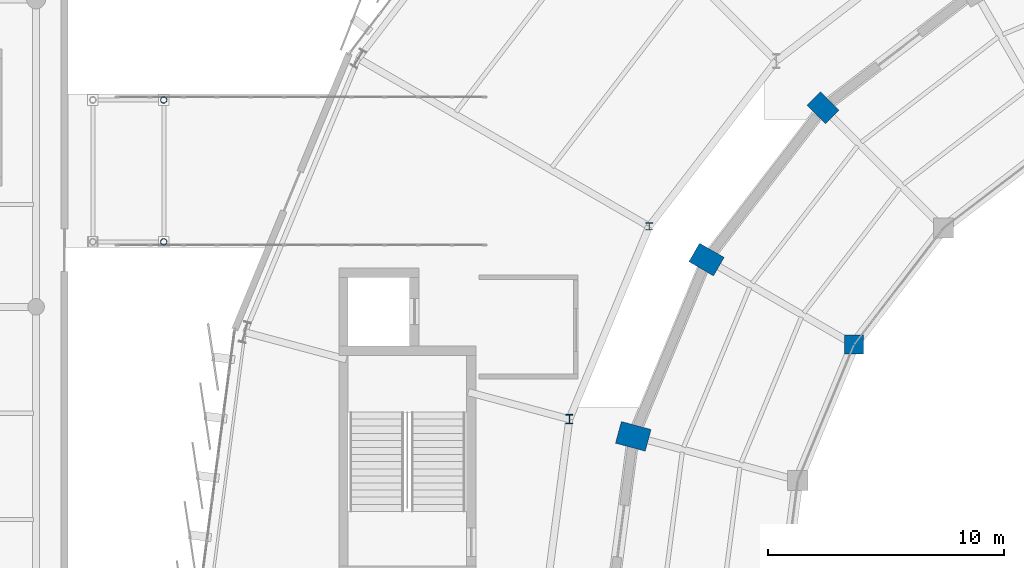
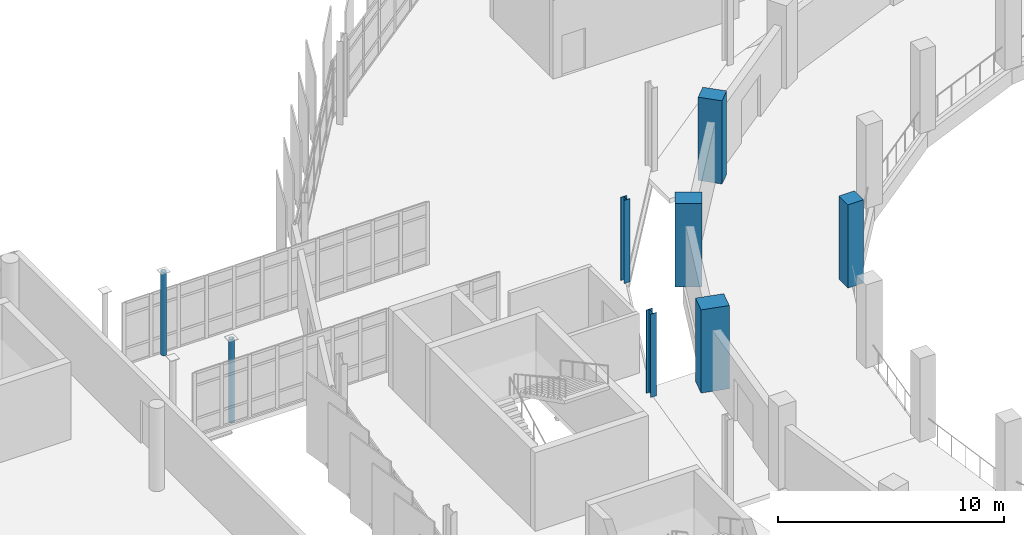
# One storey, part 13 of 125: 8 columns.
"""IFC4 building model written with IfcOpenShell, lengths in metres."""

from ifc_helpers import new_model, si_unit, direction, frame, origin, origin_2d, place, context, subcontext, project, spatial, rectangle, hollow_circle, i_section, extrude, material, material_profile, profile_set, type_object, element, save


model = new_model("IFC4")

# Units and contexts
model_context = context("Model", 3, precision=1e-05, world=origin(), true_north=direction((0.0, 1.0)))
body_context = subcontext(model_context, "Body", "Model", "MODEL_VIEW")
ifc_project = project(units=[si_unit("LENGTHUNIT", "METRE"), si_unit("AREAUNIT", "SQUARE_METRE"), si_unit("VOLUMEUNIT", "CUBIC_METRE"), si_unit("PLANEANGLEUNIT", "RADIAN"), si_unit("MASSUNIT", "GRAM", prefix="KILO")], contexts=[model_context])

# Site, building, storey
site_placement = place(None, origin())
site = spatial("IfcSite", under=ifc_project, at=site_placement, CompositionType="ELEMENT")
building_placement = place(site_placement, origin())
building = spatial("IfcBuilding", under=site, at=building_placement, Name="Sohan Crest Arena", CompositionType="ELEMENT")
storey_placement = place(building_placement, frame((0.0, 0.0, 9.0)))
storey = spatial("IfcBuildingStorey", under=building, at=storey_placement, Name="L02", CompositionType="ELEMENT", Elevation=9.0)

# Columns
ifc_material_1 = material(Name="Concrete C40/50", Category="concrete")
ifc_material_profile_1 = material_profile(ifc_material_1, rectangle(XDim=0.800048828125, YDim=0.800048828125, at=origin_2d()), Name="RC 800x800")
ifc_profile_set_1 = profile_set([ifc_material_profile_1], Name="Concrete C40/50")
column_type_1 = type_object("IfcColumnType", Name="STR-COL-C05", PredefinedType="COLUMN", material=ifc_profile_set_1)
column_1_placement = place(storey_placement, frame((77.388916015625, 89.89990234375, 0.0), z_axis=(0.0, 0.0, 1.0), x_axis=(1.0, 0.0, 0.0)))
element("IfcColumn", 1, at=column_1_placement, inside=storey, type_object=column_type_1, Name="Structural column COL-V1M-05-L02", PredefinedType="COLUMN", context=body_context, shape_type="SweptSolid", body=[
    extrude(rectangle(XDim=0.800048828125, YDim=0.800048828125, at=origin_2d()), origin(), (0.0, 0.0, 1.0), 4.5),
])
ifc_material_profile_2 = material_profile(ifc_material_1, rectangle(XDim=1.10009765625, YDim=0.800048828125, at=origin_2d()), Name="RC 1100x800")
ifc_profile_set_2 = profile_set([ifc_material_profile_2], Name="Concrete C40/50")
column_type_2 = type_object("IfcColumnType", Name="STR-COL-C10", PredefinedType="COLUMN", material=ifc_profile_set_2)
column_2_placement = place(storey_placement, frame((76.080078125, 99.919921875, 0.0), z_axis=(0.0, 0.0, 1.0), x_axis=(-0.707106781187, 0.707106781187, 0.0)))
element("IfcColumn", 2, at=column_2_placement, inside=storey, type_object=column_type_2, Name="Structural column COL-V1R-04-L02", PredefinedType="COLUMN", context=body_context, shape_type="SweptSolid", body=[
    extrude(rectangle(XDim=1.10009765625, YDim=0.800048828125, at=origin_2d()), origin(), (0.0, 0.0, 1.0), 4.5),
])
ifc_material_profile_3 = material_profile(ifc_material_1, rectangle(XDim=1.199951171875, YDim=0.89990234375, at=origin_2d()), Name="RC 1200x900")
ifc_profile_set_3 = profile_set([ifc_material_profile_3], Name="Concrete C40/50")
column_type_3 = type_object("IfcColumnType", Name="STR-COL-C11", PredefinedType="COLUMN", material=ifc_profile_set_3)
column_3_placement = place(storey_placement, frame((71.153076171875, 93.5, 0.0), z_axis=(0.0, 0.0, 1.0), x_axis=(-0.866025403784, 0.5, 0.0)))
element("IfcColumn", 3, at=column_3_placement, inside=storey, type_object=column_type_3, Name="Structural column COL-V1R-05-L02", PredefinedType="COLUMN", context=body_context, shape_type="SweptSolid", body=[
    extrude(rectangle(XDim=1.199951171875, YDim=0.89990234375, at=origin_2d()), origin(), (0.0, 0.0, 1.0), 4.5),
])
ifc_material_profile_4 = material_profile(ifc_material_1, rectangle(XDim=1.300048828125, YDim=0.949951171875, at=origin_2d()), Name="RC 1300x950")
ifc_profile_set_4 = profile_set([ifc_material_profile_4], Name="Concrete C40/50")
column_type_4 = type_object("IfcColumnType", Name="STR-COL-C12", PredefinedType="COLUMN", material=ifc_profile_set_4)
column_4_placement = place(storey_placement, frame((68.055908203125, 86.02294921875, 0.0), z_axis=(0.0, 0.0, 1.0), x_axis=(-0.965925826289, 0.258819045103, 0.0)))
element("IfcColumn", 4, at=column_4_placement, inside=storey, type_object=column_type_4, Name="Structural column COL-V1R-06-L02", PredefinedType="COLUMN", context=body_context, shape_type="SweptSolid", body=[
    extrude(rectangle(XDim=1.300048828125, YDim=0.949951171875, at=origin_2d()), origin(), (0.0, 0.0, 1.0), 4.5),
])
ifc_material_2 = material(Name="Steel S355", Category="steel")
ifc_material_profile_5 = material_profile(ifc_material_2, i_section(OverallWidth=0.300048828125, OverallDepth=0.300048828125, WebThickness=0.010986328125, FlangeThickness=0.01904296875, at=origin_2d()), Name="HEB 300")
ifc_profile_set_5 = profile_set([ifc_material_profile_5], Name="Steel S355")
column_type_5 = type_object("IfcColumnType", Name="STR-COL-C17", PredefinedType="COLUMN", material=ifc_profile_set_5)
column_5_placement = place(storey_placement, frame((68.72802734375, 94.89990234375, 0.0), z_axis=(0.0, 0.0, 1.0), x_axis=(1.0, 0.0, 0.0)))
element("IfcColumn", 5, at=column_5_placement, inside=storey, type_object=column_type_5, Name="Structural column COL-V2I-05-L02", PredefinedType="COLUMN", context=body_context, shape_type="SweptSolid", body=[
    extrude(i_section(OverallWidth=0.300048828125, OverallDepth=0.300048828125, WebThickness=0.010986328125, FlangeThickness=0.01904296875, at=origin_2d()), origin(), (0.0, 0.0, 1.0), 4.5),
])
ifc_material_profile_6 = material_profile(ifc_material_2, i_section(OverallWidth=0.300048828125, OverallDepth=0.39990234375, WebThickness=0.013427734375, FlangeThickness=0.02392578125, at=origin_2d()), Name="HEB 400")
ifc_profile_set_6 = profile_set([ifc_material_profile_6], Name="Steel S355")
column_type_6 = type_object("IfcColumnType", Name="STR-COL-C18", PredefinedType="COLUMN", material=ifc_profile_set_6)
column_6_placement = place(storey_placement, frame((65.35205078125, 86.748046875, 0.0), z_axis=(0.0, 0.0, 1.0), x_axis=(1.0, 0.0, 0.0)))
element("IfcColumn", 6, at=column_6_placement, inside=storey, type_object=column_type_6, Name="Structural column COL-V2I-06-L02", PredefinedType="COLUMN", context=body_context, shape_type="SweptSolid", body=[
    extrude(i_section(OverallWidth=0.300048828125, OverallDepth=0.39990234375, WebThickness=0.013427734375, FlangeThickness=0.02392578125, at=origin_2d()), origin(), (0.0, 0.0, 1.0), 4.5),
])
ifc_material_profile_7 = material_profile(ifc_material_2, hollow_circle(Radius=0.136474609375, WallThickness=0.012451171875, at=origin_2d()), Name="CHS 273x12.5")
ifc_profile_set_7 = profile_set([ifc_material_profile_7], Name="Steel S355")
column_type_7 = type_object("IfcColumnType", Name="STR-COL-C25", PredefinedType="COLUMN", material=ifc_profile_set_7)
for number, where, z_axis, x_axis, name in (
    (7, (48.199951171875, 94.25, 0.0), (0.0, 0.0, 1.0), (1.0, 0.0, 0.0), "Structural column COL-BC-BR-W2-2-L02"),
    (8, (48.199951171875, 100.25, 0.0), (0.0, 0.0, 1.0), (1.0, 0.0, 0.0), "Structural column COL-BC-BR-W2-4-L02"),
):
    element("IfcColumn", number, at=place(storey_placement, frame(where, z_axis=z_axis, x_axis=x_axis)), inside=storey, type_object=column_type_7, Name=name, PredefinedType="COLUMN", context=body_context, shape_type="SweptSolid", body=[
        extrude(hollow_circle(Radius=0.136474609375, WallThickness=0.012451171875, at=origin_2d()), origin(), (0.0, 0.0, 1.0), 4.5),
    ])

save(model, "model.ifc")
